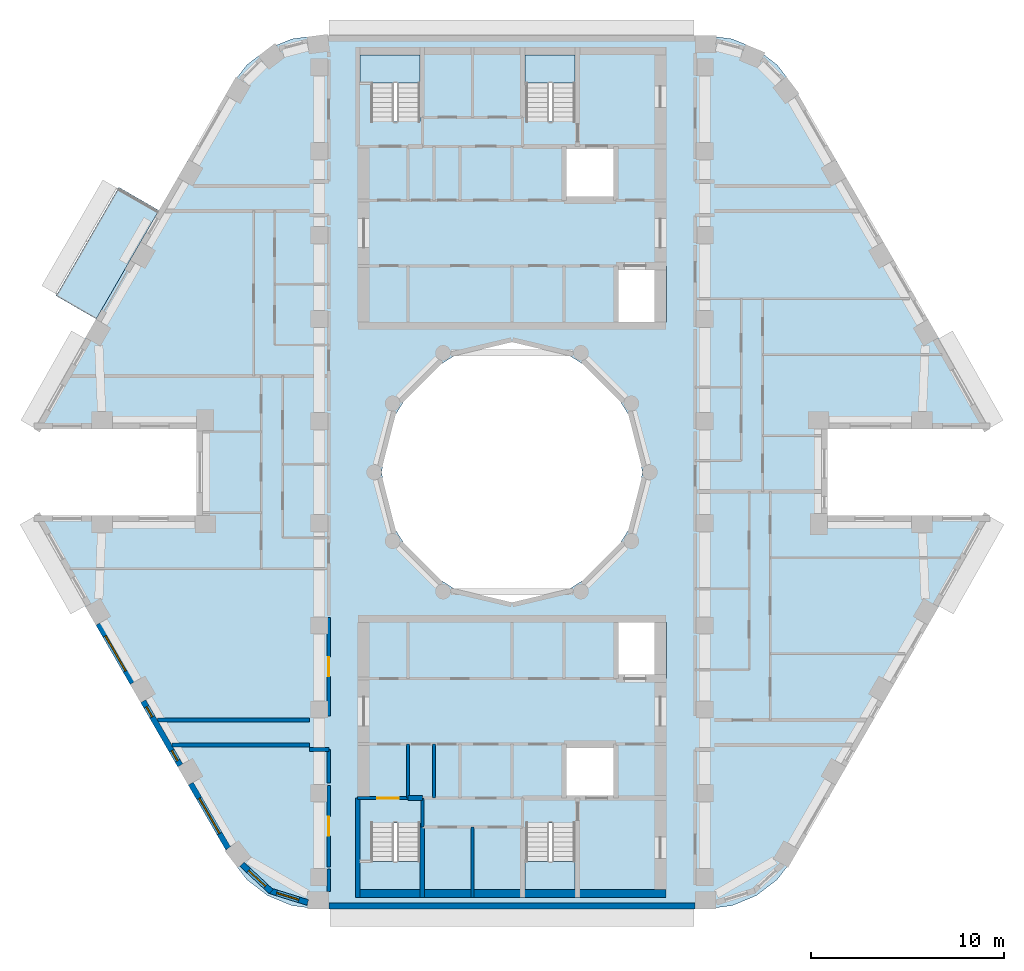
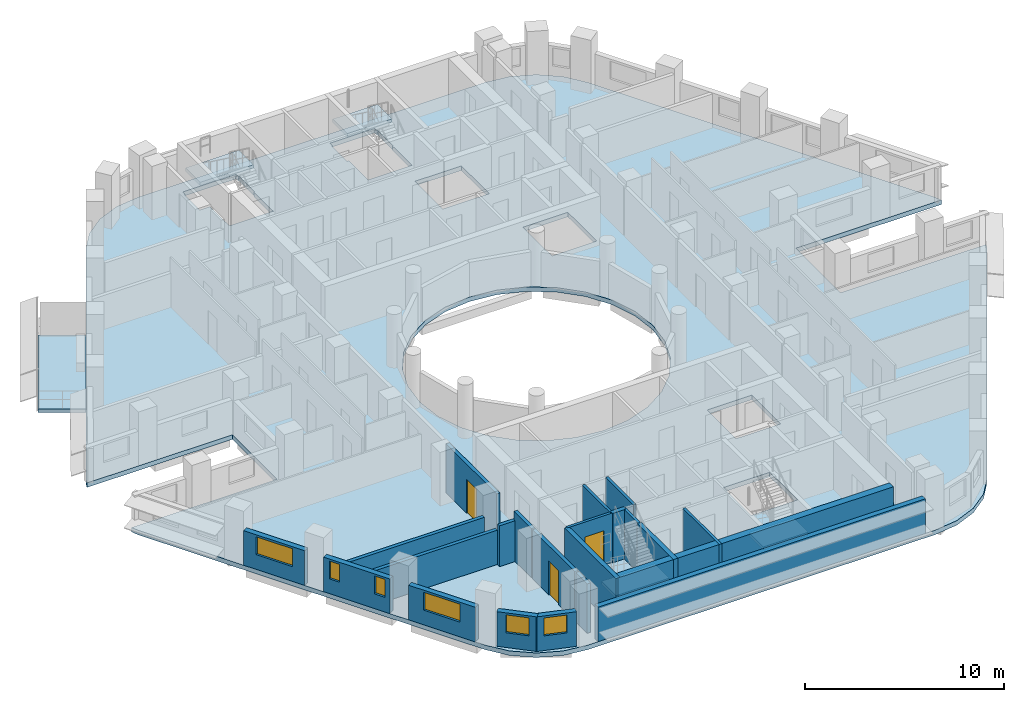
# One storey, part 2 of 13: 22 walls, 6 slabs, 6 windows, 3 doors, 9 openings, 4 elements without a shape of their own.
"""IFC4 building model written with IfcOpenShell, lengths in metres."""

from ifc_helpers import new_model, si_unit, direction, frame, frame_2d, origin, place, context, subcontext, project, spatial, polyline, rectangle, outline, extrude, material, layer, layer_set, type_object, element, fill, aggregate, save


model = new_model("IFC4")

# Units and contexts
model_context = context("Model", 3, precision=1e-05, world=origin(), true_north=direction((0.0, 1.0)))
body_context = subcontext(model_context, "Body", "Model", "MODEL_VIEW")
ifc_project = project(units=[si_unit("LENGTHUNIT", "METRE"), si_unit("AREAUNIT", "SQUARE_METRE"), si_unit("VOLUMEUNIT", "CUBIC_METRE"), si_unit("PLANEANGLEUNIT", "RADIAN"), si_unit("MASSUNIT", "GRAM", prefix="KILO")], contexts=[model_context])

# Site, building, storey
site_placement = place(None, origin())
site = spatial("IfcSite", under=ifc_project, at=site_placement, CompositionType="ELEMENT")
building_placement = place(site_placement, origin())
building = spatial("IfcBuilding", under=site, at=building_placement, Name="Nakaniwa Court", CompositionType="ELEMENT")
storey_placement = place(building_placement, frame((0.0, 0.0, 269.10009765625)))
storey = spatial("IfcBuildingStorey", under=building, at=storey_placement, Name="L71", CompositionType="ELEMENT", Elevation=269.10009765625)

# Slabs
ifc_material_1 = material(Name="Charcoal ceramic paver")
ifc_layer_1 = layer(ifc_material_1, 0.02, Name="Ceramic paver")
ifc_material_2 = material(Name="Cement sand screed")
ifc_layer_2 = layer(ifc_material_2, 0.03, Name="Falls screed")
ifc_material_3 = material(Name="Concrete C40/50", Category="concrete")
ifc_layer_3 = layer(ifc_material_3, 0.15, Name="Balcony slab")
ifc_layer_set_1 = layer_set([ifc_layer_1, ifc_layer_2, ifc_layer_3], Name="Concrete C40/50 balcony slab with ceramic paver finish")
slab_type_1 = type_object("IfcSlabType", Name="Balcony slab 200", PredefinedType="FLOOR", material=ifc_layer_set_1)
slab_1_placement = place(storey_placement, frame((0.0, 0.0, -0.25)))
element("IfcSlab", 1, at=slab_1_placement, inside=storey, type_object=slab_type_1, Name="L71 balcony 01", PredefinedType="FLOOR", context=body_context, shape_type="SweptSolid", body=[
    extrude(outline(polyline([(61.685791015625, 93.5791015625), (58.436279296875, 87.95068359375), (56.35791015625, 89.15087890625), (59.607421875, 94.779296875), (61.685791015625, 93.5791015625)])), origin(), (0.0, 0.0, 1.0), 0.199951171875),
])
ifc_material_4 = material(Name="Concrete C80/100", Category="concrete")
ifc_layer_4 = layer(ifc_material_4, 0.27490234375)
ifc_layer_set_2 = layer_set([ifc_layer_4], Name="Concrete C80/100")
slab_type_2 = type_object("IfcSlabType", Name="Concrete C80/100 post tensioned floor slab 275", PredefinedType="FLOOR", material=ifc_layer_set_2)
slab_2_placement = place(storey_placement, frame((0.0, 0.0, -0.275146484375)))
element("IfcSlab", 2, at=slab_2_placement, inside=storey, type_object=slab_type_2, Name="FLOOR SLAB", PredefinedType="FLOOR", context=body_context, shape_type="SweptSolid", body=[
    extrude(outline(polyline([(96.349609375, 82.25), (104.7978515625, 82.25), (104.65283203125, 82.60009765625), (94.578125, 100.050048828125), (93.751708984375, 101.126953125), (92.6748046875, 101.953369140625), (91.420654296875, 102.472900390625), (90.07470703125, 102.64990234375), (69.92529296875, 102.64990234375), (68.579345703125, 102.472900390625), (67.3251953125, 101.953369140625), (66.248291015625, 101.126953125), (65.421875, 100.050048828125), (55.34716796875, 82.60009765625), (55.2021484375, 82.25), (63.650390625, 82.25), (63.650390625, 77.75), (55.2021484375, 77.75), (55.34716796875, 77.39990234375), (65.421875, 59.949951171875), (66.248291015625, 58.873046875), (67.3251953125, 58.046630859375), (68.579345703125, 57.527099609375), (69.92529296875, 57.35009765625), (90.07470703125, 57.35009765625), (91.420654296875, 57.527099609375), (92.6748046875, 58.046630859375), (93.751708984375, 58.873046875), (94.578125, 59.949951171875), (104.65283203125, 77.39990234375), (104.7978515625, 77.75), (96.349609375, 77.75), (96.349609375, 82.25)]), holes=[polyline([(81.501953125, 86.580810546875), (80.0, 86.75), (78.498046875, 86.580810546875), (77.0712890625, 86.08154296875), (75.79150390625, 85.27734375), (74.72265625, 84.20849609375), (73.91845703125, 82.9287109375), (73.419189453125, 81.501953125), (73.25, 80.0), (73.419189453125, 78.498046875), (73.91845703125, 77.0712890625), (74.72265625, 75.79150390625), (75.79150390625, 74.72265625), (77.0712890625, 73.91845703125), (78.498046875, 73.419189453125), (80.0, 73.25), (81.501953125, 73.419189453125), (82.9287109375, 73.91845703125), (84.20849609375, 74.72265625), (85.27734375, 75.79150390625), (86.08154296875, 77.0712890625), (86.580810546875, 78.498046875), (86.75, 80.0), (86.580810546875, 81.501953125), (86.08154296875, 82.9287109375), (85.27734375, 84.20849609375), (84.20849609375, 85.27734375), (82.9287109375, 86.08154296875), (81.501953125, 86.580810546875)]), polyline([(72.675048828125, 61.81005859375), (72.675048828125, 59.864990234375), (72.0849609375, 59.864990234375), (72.0849609375, 58.31005859375), (72.125, 58.31005859375), (72.125, 58.074951171875), (75.22509765625, 58.074951171875), (75.22509765625, 58.31005859375), (75.264892578125, 58.31005859375), (75.264892578125, 59.864990234375), (75.22509765625, 59.864990234375), (75.22509765625, 61.81005859375), (72.675048828125, 61.81005859375)]), polyline([(83.27490234375, 61.81005859375), (80.72509765625, 61.81005859375), (80.72509765625, 59.864990234375), (80.635009765625, 59.864990234375), (80.635009765625, 58.31005859375), (80.675048828125, 58.31005859375), (80.675048828125, 58.074951171875), (83.27490234375, 58.074951171875), (83.27490234375, 58.31005859375), (83.31494140625, 58.31005859375), (83.31494140625, 59.864990234375), (83.27490234375, 59.864990234375), (83.27490234375, 61.81005859375)]), polyline([(75.264892578125, 101.68994140625), (75.22509765625, 101.68994140625), (75.22509765625, 101.925048828125), (72.125, 101.925048828125), (72.125, 101.68994140625), (72.0849609375, 101.68994140625), (72.0849609375, 100.135009765625), (72.675048828125, 100.135009765625), (72.675048828125, 98.18994140625), (75.22509765625, 98.18994140625), (75.22509765625, 100.135009765625), (75.264892578125, 100.135009765625), (75.264892578125, 101.68994140625)]), polyline([(83.31494140625, 100.135009765625), (83.31494140625, 101.68994140625), (83.27490234375, 101.68994140625), (83.27490234375, 101.925048828125), (80.675048828125, 101.925048828125), (80.675048828125, 101.68994140625), (80.635009765625, 101.68994140625), (80.635009765625, 100.135009765625), (80.72509765625, 100.135009765625), (80.72509765625, 98.18994140625), (83.27490234375, 98.18994140625), (83.27490234375, 100.135009765625), (83.31494140625, 100.135009765625)]), polyline([(85.39990234375, 65.89990234375), (82.699951171875, 65.89990234375), (82.699951171875, 63.10009765625), (85.39990234375, 63.10009765625), (85.39990234375, 65.89990234375)]), polyline([(88.0, 72.199951171875), (85.39990234375, 72.199951171875), (85.39990234375, 69.300048828125), (88.0, 69.300048828125), (88.0, 72.199951171875)]), polyline([(85.39990234375, 90.699951171875), (85.39990234375, 87.800048828125), (88.0, 87.800048828125), (88.0, 90.699951171875), (85.39990234375, 90.699951171875)]), polyline([(85.39990234375, 96.89990234375), (82.699951171875, 96.89990234375), (82.699951171875, 94.10009765625), (85.39990234375, 94.10009765625), (85.39990234375, 96.89990234375)])]), origin(), (0.0, 0.0, 1.0), 0.275146484375),
])

# Stair, slab
stair_type = type_object("IfcStairType", Name="Dog leg stair 1200 wide 18 risers", PredefinedType="HALF_TURN_STAIR", material=ifc_material_4)
stair_1_placement = place(storey_placement, origin())
stair_1 = element("IfcStair", 3, at=stair_1_placement, inside=storey, type_object=stair_type, Name="L71 Stair ST1", PredefinedType="HALF_TURN_STAIR")
ifc_layer_5 = layer(ifc_material_4, 0.199951171875)
ifc_layer_set_3 = layer_set([ifc_layer_5], Name="Concrete C80/100")
slab_type_3 = type_object("IfcSlabType", Name="Stair landing concrete", PredefinedType="LANDING", material=ifc_layer_set_3)
slab_3_placement = place(storey_placement, frame((0.0, 0.0, 1.449951171875)))
slab_3 = element("IfcSlab", 4, at=slab_3_placement, type_object=slab_type_3, Name="ST1 landing 1", PredefinedType="LANDING", context=body_context, shape_type="SweptSolid", body=[
    extrude(outline(polyline([(75.22509765625, 100.175048828125), (75.22509765625, 101.64990234375), (72.125, 101.64990234375), (72.125, 100.175048828125), (75.22509765625, 100.175048828125)])), origin(), (0.0, 0.0, 1.0), 0.199951171875),
])
aggregate(stair_1, [slab_3])

stair_2_placement = place(storey_placement, origin())
stair_2 = element("IfcStair", 5, at=stair_2_placement, inside=storey, type_object=stair_type, Name="L71 Stair ST2", PredefinedType="HALF_TURN_STAIR")
slab_4_placement = place(storey_placement, frame((0.0, 0.0, 1.449951171875)))
slab_4 = element("IfcSlab", 6, at=slab_4_placement, type_object=slab_type_3, Name="ST2 landing 1", PredefinedType="LANDING", context=body_context, shape_type="SweptSolid", body=[
    extrude(outline(polyline([(83.27490234375, 100.175048828125), (83.27490234375, 101.64990234375), (80.675048828125, 101.64990234375), (80.675048828125, 100.175048828125), (83.27490234375, 100.175048828125)])), origin(), (0.0, 0.0, 1.0), 0.199951171875),
])
aggregate(stair_2, [slab_4])

stair_3_placement = place(storey_placement, origin())
stair_3 = element("IfcStair", 7, at=stair_3_placement, inside=storey, type_object=stair_type, Name="L71 Stair ST3", PredefinedType="HALF_TURN_STAIR")
slab_5_placement = place(storey_placement, frame((0.0, 0.0, 1.449951171875)))
slab_5 = element("IfcSlab", 8, at=slab_5_placement, type_object=slab_type_3, Name="ST3 landing 1", PredefinedType="LANDING", context=body_context, shape_type="SweptSolid", body=[
    extrude(outline(polyline([(75.22509765625, 58.35009765625), (75.22509765625, 59.824951171875), (72.125, 59.824951171875), (72.125, 58.35009765625), (75.22509765625, 58.35009765625)])), origin(), (0.0, 0.0, 1.0), 0.199951171875),
])
aggregate(stair_3, [slab_5])

stair_4_placement = place(storey_placement, origin())
stair_4 = element("IfcStair", 9, at=stair_4_placement, inside=storey, type_object=stair_type, Name="L71 Stair ST4", PredefinedType="HALF_TURN_STAIR")
slab_6_placement = place(storey_placement, frame((0.0, 0.0, 1.449951171875)))
slab_6 = element("IfcSlab", 10, at=slab_6_placement, type_object=slab_type_3, Name="ST4 landing 1", PredefinedType="LANDING", context=body_context, shape_type="SweptSolid", body=[
    extrude(outline(polyline([(83.27490234375, 58.35009765625), (83.27490234375, 59.824951171875), (80.675048828125, 59.824951171875), (80.675048828125, 58.35009765625), (83.27490234375, 58.35009765625)])), origin(), (0.0, 0.0, 1.0), 0.199951171875),
])
aggregate(stair_4, [slab_6])

# Walls
ifc_material_5 = material(Name="Acoustic double stud partition")
ifc_layer_6 = layer(ifc_material_5, 0.199951171875)
ifc_layer_set_4 = layer_set([ifc_layer_6], Name="Acoustic double stud partition")
wall_type_1 = type_object("IfcWallType", Name="Acoustic double stud partition 200", PredefinedType="PARTITIONING", material=ifc_layer_set_4)
wall_1_placement = place(storey_placement, frame((62.36181640625, 65.85009765625, 0.0), z_axis=(0.0, 0.0, 1.0), x_axis=(1.0, 0.0, 0.0)))
element("IfcWall", 11, at=wall_1_placement, inside=storey, type_object=wall_type_1, Name="Partition PW-078", PredefinedType="PARTITIONING", context=body_context, shape_type="SweptSolid", body=[
    extrude(rectangle(XDim=7.13818359375, YDim=0.199951171875, at=frame_2d((3.569091796875, 0.0))), origin(), (0.0, 0.0, 1.0), 2.10498046875),
])
wall_2_placement = place(storey_placement, frame((69.5, 65.625, 0.0), z_axis=(0.0, 0.0, 1.0), x_axis=(1.0, 0.0, 0.0)))
element("IfcWall", 12, at=wall_2_placement, inside=storey, type_object=wall_type_1, Name="Partition PW-080", PredefinedType="PARTITIONING", context=body_context, shape_type="SweptSolid", body=[
    extrude(rectangle(XDim=1.0, YDim=0.199951171875, at=frame_2d((0.5, 0.0))), origin(), (0.0, 0.0, 1.0), 2.5048828125),
])
wall_3_placement = place(storey_placement, frame((61.611328125, 67.14990234375, 0.0), z_axis=(0.0, 0.0, 1.0), x_axis=(1.0, 0.0, 0.0)))
element("IfcWall", 13, at=wall_3_placement, inside=storey, type_object=wall_type_1, Name="Partition PW-082", PredefinedType="PARTITIONING", context=body_context, shape_type="SweptSolid", body=[
    extrude(rectangle(XDim=7.888671875, YDim=0.199951171875, at=frame_2d((3.9443359375, 0.0))), origin(), (0.0, 0.0, 1.0), 2.10498046875),
])
wall_4_placement = place(storey_placement, frame((70.5, 58.26708984375, 0.0), z_axis=(0.0, 0.0, 1.0), x_axis=(0.0, 1.0, 0.0)))
element("IfcWall", 14, at=wall_4_placement, inside=storey, type_object=wall_type_1, Name="Partition PW-084", PredefinedType="PARTITIONING", context=body_context, shape_type="SweptSolid", body=[
    extrude(rectangle(XDim=1.14599609375, YDim=0.199951171875, at=frame_2d((0.572998046875, 0.0))), origin(), (0.0, 0.0, 1.0), 3.02490234375),
])

# Wall, opening, door
wall_5_placement = place(storey_placement, frame((70.5, 59.527099609375, 0.0), z_axis=(0.0, 0.0, 1.0), x_axis=(0.0, 1.0, 0.0)))
wall_5 = element("IfcWall", 15, at=wall_5_placement, inside=storey, type_object=wall_type_1, Name="Partition PW-085", PredefinedType="PARTITIONING", context=body_context, shape_type="SweptSolid", body=[
    extrude(rectangle(XDim=4.23583984375, YDim=0.199951171875, at=frame_2d((2.117919921875, 0.0))), origin(), (0.0, 0.0, 1.0), 3.02490234375),
])
opening_1_placement = place(wall_5_placement, frame((1.617919921875, 0.0, 0.0)))
opening_1 = element("IfcOpeningElement", 16, at=opening_1_placement, cuts=wall_5, Name="Opening D-02-05", PredefinedType="OPENING", context=body_context, shape_type="SweptSolid", body=[
    extrude(rectangle(XDim=1.0, YDim=2.10009765625, at=frame_2d((0.5, 1.050048828125))), frame((0.0, 0.10986328125, 0.0), z_axis=(0.0, -1.0, 0.0), x_axis=(1.0, 0.0, 0.0)), (0.0, 0.0, 1.0), 0.219970703125),
])
ifc_material_6 = material(Name="Solid core timber door set, black veneer", Category="wood")
door_type_1 = type_object("IfcDoorType", Name="Internal door 1000", OperationType="NOTDEFINED", PredefinedType="DOOR", material=ifc_material_6)
door_1_placement = place(opening_1_placement, origin())
door_1 = element("IfcDoor", 17, at=door_1_placement, inside=storey, type_object=door_type_1, Name="Door D-02-05 L71-057", OperationType="SINGLE_SWING_RIGHT", OverallHeight=2.10009765625, OverallWidth=1.0, PredefinedType="DOOR", context=body_context, shape_type="SweptSolid", body=[
    extrude(rectangle(XDim=1.0, YDim=2.10009765625, at=frame_2d((0.5, 1.050048828125))), frame((0.0, 0.02490234375, 0.0), z_axis=(0.0, -1.0, 0.0), x_axis=(1.0, 0.0, 0.0)), (0.0, 0.0, 1.0), 0.050048828125),
])
fill(opening_1, door_1)

# Wall
wall_6_placement = place(storey_placement, frame((70.5, 63.876953125, 0.0), z_axis=(0.0, 0.0, 1.0), x_axis=(0.0, 1.0, 0.0)))
element("IfcWall", 18, at=wall_6_placement, inside=storey, type_object=wall_type_1, Name="Partition PW-086", PredefinedType="PARTITIONING", context=body_context, shape_type="SweptSolid", body=[
    extrude(rectangle(XDim=1.7509765625, YDim=0.199951171875, at=frame_2d((0.87548828125, 0.0))), origin(), (0.0, 0.0, 1.0), 3.02490234375),
])

# Wall, opening, door
wall_7_placement = place(storey_placement, frame((70.5, 67.3720703125, 0.0), z_axis=(0.0, 0.0, 1.0), x_axis=(0.0, 1.0, 0.0)))
wall_7 = element("IfcWall", 19, at=wall_7_placement, inside=storey, type_object=wall_type_1, Name="Partition PW-087", PredefinedType="PARTITIONING", context=body_context, shape_type="SweptSolid", body=[
    extrude(rectangle(XDim=5.0908203125, YDim=0.199951171875, at=frame_2d((2.54541015625, 0.0))), origin(), (0.0, 0.0, 1.0), 3.02490234375),
])
opening_2_placement = place(wall_7_placement, frame((2.044921875, 0.0, 0.0)))
opening_2 = element("IfcOpeningElement", 20, at=opening_2_placement, cuts=wall_7, Name="Opening D-02-03", PredefinedType="OPENING", context=body_context, shape_type="SweptSolid", body=[
    extrude(rectangle(XDim=1.0, YDim=2.10009765625, at=frame_2d((0.5, 1.050048828125))), frame((0.0, 0.10986328125, 0.0), z_axis=(0.0, -1.0, 0.0), x_axis=(1.0, 0.0, 0.0)), (0.0, 0.0, 1.0), 0.219970703125),
])
door_2_placement = place(opening_2_placement, origin())
door_2 = element("IfcDoor", 21, at=door_2_placement, inside=storey, type_object=door_type_1, Name="Door D-02-03 L71-045", OperationType="SINGLE_SWING_RIGHT", OverallHeight=2.10009765625, OverallWidth=1.0, PredefinedType="DOOR", context=body_context, shape_type="SweptSolid", body=[
    extrude(rectangle(XDim=1.0, YDim=2.10009765625, at=frame_2d((0.5, 1.050048828125))), frame((0.0, 0.02490234375, 0.0), z_axis=(0.0, -1.0, 0.0), x_axis=(1.0, 0.0, 0.0)), (0.0, 0.0, 1.0), 0.050048828125),
])
fill(opening_2, door_2)

# Wall, opening, window
ifc_material_7 = material(Name="Charcoal ceramic cladding")
ifc_layer_7 = layer(ifc_material_7, 0.02, Name="Ceramic cladding")
ifc_material_8 = material(Name="Ventilated air cavity")
ifc_layer_8 = layer(ifc_material_8, 0.04, ventilated=True, Name="Ventilated cavity")
ifc_material_9 = material(Name="Mineral wool insulation")
ifc_layer_9 = layer(ifc_material_9, 0.1, Name="Insulation")
ifc_material_10 = material(Name="Cement bonded sheathing board")
ifc_layer_10 = layer(ifc_material_10, 0.012, Name="Sheathing")
ifc_material_11 = material(Name="Cold-formed galvanised stud frame with mineral wool infill")
ifc_layer_11 = layer(ifc_material_11, 0.1, Name="Stud frame")
ifc_material_12 = material(Name="Fire-rated gypsum plasterboard lining")
ifc_layer_12 = layer(ifc_material_12, 0.028, Name="Lining")
ifc_layer_set_5 = layer_set([ifc_layer_7, ifc_layer_8, ifc_layer_9, ifc_layer_10, ifc_layer_11, ifc_layer_12], Name="Charcoal ceramic faced external wall system")
wall_type_2 = type_object("IfcWallType", Name="Black ceramic faced external wall 300", PredefinedType="SOLIDWALL", material=ifc_layer_set_5)
wall_8_placement = place(storey_placement, frame((58.55419921875, 72.14501953125, 0.0), z_axis=(0.0, 0.0, 1.0), x_axis=(0.500010404316, -0.866019396766, 0.0)))
wall_8 = element("IfcWall", 22, at=wall_8_placement, inside=storey, type_object=wall_type_2, Name="L71 external wall 21", PredefinedType="SOLIDWALL", context=body_context, shape_type="SweptSolid", body=[
    extrude(rectangle(XDim=3.54736328125, YDim=0.300048828125, at=frame_2d((1.773681640625, 0.0))), origin(), (0.0, 0.0, 1.0), 2.125),
])
opening_3_placement = place(wall_8_placement, frame((0.723388671875, 0.0, 0.89990234375)))
opening_3 = element("IfcOpeningElement", 23, at=opening_3_placement, cuts=wall_8, Name="Opening W7.23", PredefinedType="OPENING", context=body_context, shape_type="SweptSolid", body=[
    extrude(rectangle(XDim=2.10009765625, YDim=1.10009765625, at=frame_2d((1.050048828125, 0.550048828125))), frame((0.0, 0.159912109375, 0.0), z_axis=(0.0, -1.0, 0.0), x_axis=(1.0, 0.0, 0.0)), (0.0, 0.0, 1.0), 0.320068359375),
])
ifc_material_13 = material(Name="Black anodised aluminium frame with dark low-E laminated double glazing", Category="aluminium")
window_type_1 = type_object("IfcWindowType", Name="Dark glass window 2100x1100 sill 900", PartitioningType="SINGLE_PANEL", PredefinedType="WINDOW", material=ifc_material_13)
window_1_placement = place(opening_3_placement, origin())
window_1 = element("IfcWindow", 24, at=window_1_placement, inside=storey, type_object=window_type_1, Name="L71 habitable room window 21-0", OverallHeight=1.10009765625, OverallWidth=2.10009765625, PartitioningType="SINGLE_PANEL", PredefinedType="WINDOW", context=body_context, shape_type="SweptSolid", body=[
    extrude(rectangle(XDim=2.10009765625, YDim=1.10009765625, at=frame_2d((1.050048828125, 0.550048828125))), frame((0.0, 0.030029296875, 0.0), z_axis=(0.0, -1.0, 0.0), x_axis=(1.0, 0.0, 0.0)), (0.0, 0.0, 1.0), 0.06005859375),
])
fill(opening_3, window_1)

# Wall, openings, windows
wall_9_placement = place(storey_placement, frame((60.873779296875, 68.12744140625, 0.0), z_axis=(0.0, 0.0, 1.0), x_axis=(0.499984490703, -0.866034357896, 0.0)))
wall_9 = element("IfcWall", 25, at=wall_9_placement, inside=storey, type_object=wall_type_2, Name="L71 external wall 22", PredefinedType="SOLIDWALL", context=body_context, shape_type="SweptSolid", body=[
    extrude(rectangle(XDim=3.84423828125, YDim=0.300048828125, at=frame_2d((1.922119140625, 0.0))), origin(), (0.0, 0.0, 1.0), 2.125),
])
opening_4_placement = place(wall_9_placement, frame((0.33837890625, 0.0, 0.89990234375)))
opening_4 = element("IfcOpeningElement", 26, at=opening_4_placement, cuts=wall_9, Name="Opening W8.24", PredefinedType="OPENING", context=body_context, shape_type="SweptSolid", body=[
    extrude(rectangle(XDim=0.60009765625, YDim=1.10009765625, at=frame_2d((0.300048828125, 0.550048828125))), frame((0.0, 0.159912109375, 0.0), z_axis=(0.0, -1.0, 0.0), x_axis=(1.0, 0.0, 0.0)), (0.0, 0.0, 1.0), 0.320068359375),
])
opening_5_placement = place(wall_9_placement, frame((2.961181640625, 0.0, 0.89990234375)))
opening_5 = element("IfcOpeningElement", 27, at=opening_5_placement, cuts=wall_9, Name="Opening W8.25", PredefinedType="OPENING", context=body_context, shape_type="SweptSolid", body=[
    extrude(rectangle(XDim=0.60009765625, YDim=1.10009765625, at=frame_2d((0.300048828125, 0.550048828125))), frame((0.0, 0.159912109375, 0.0), z_axis=(0.0, -1.0, 0.0), x_axis=(1.0, 0.0, 0.0)), (0.0, 0.0, 1.0), 0.320068359375),
])
window_type_2 = type_object("IfcWindowType", Name="Dark glass window 600x1100 sill 900", PartitioningType="SINGLE_PANEL", PredefinedType="WINDOW", material=ifc_material_13)
window_2_placement = place(opening_4_placement, origin())
window_2 = element("IfcWindow", 28, at=window_2_placement, inside=storey, type_object=window_type_2, Name="L71 habitable room window 22-0", OverallHeight=1.10009765625, OverallWidth=0.60009765625, PartitioningType="SINGLE_PANEL", PredefinedType="WINDOW", context=body_context, shape_type="SweptSolid", body=[
    extrude(rectangle(XDim=0.60009765625, YDim=1.10009765625, at=frame_2d((0.300048828125, 0.550048828125))), frame((0.0, 0.030029296875, 0.0), z_axis=(0.0, -1.0, 0.0), x_axis=(1.0, 0.0, 0.0)), (0.0, 0.0, 1.0), 0.06005859375),
])
fill(opening_4, window_2)
window_3_placement = place(opening_5_placement, origin())
window_3 = element("IfcWindow", 29, at=window_3_placement, inside=storey, type_object=window_type_2, Name="L71 habitable room window 22-2", OverallHeight=1.10009765625, OverallWidth=0.60009765625, PartitioningType="SINGLE_PANEL", PredefinedType="WINDOW", context=body_context, shape_type="SweptSolid", body=[
    extrude(rectangle(XDim=0.60009765625, YDim=1.10009765625, at=frame_2d((0.300048828125, 0.550048828125))), frame((0.0, 0.030029296875, 0.0), z_axis=(0.0, -1.0, 0.0), x_axis=(1.0, 0.0, 0.0)), (0.0, 0.0, 1.0), 0.06005859375),
])
fill(opening_5, window_3)

# Wall, opening, window
wall_10_placement = place(storey_placement, frame((63.342041015625, 63.8525390625, 0.0), z_axis=(0.0, 0.0, 1.0), x_axis=(0.500011218404, -0.866018926739, 0.0)))
wall_10 = element("IfcWall", 30, at=wall_10_placement, inside=storey, type_object=wall_type_2, Name="L71 external wall 23", PredefinedType="SOLIDWALL", context=body_context, shape_type="SweptSolid", body=[
    extrude(rectangle(XDim=3.87890625, YDim=0.300048828125, at=frame_2d((1.939453125, 0.0))), origin(), (0.0, 0.0, 1.0), 2.125),
])
opening_6_placement = place(wall_10_placement, frame((0.878173828125, 0.0, 0.89990234375)))
opening_6 = element("IfcOpeningElement", 31, at=opening_6_placement, cuts=wall_10, Name="Opening W7.26", PredefinedType="OPENING", context=body_context, shape_type="SweptSolid", body=[
    extrude(rectangle(XDim=2.10009765625, YDim=1.10009765625, at=frame_2d((1.050048828125, 0.550048828125))), frame((0.0, 0.159912109375, 0.0), z_axis=(0.0, -1.0, 0.0), x_axis=(1.0, 0.0, 0.0)), (0.0, 0.0, 1.0), 0.320068359375),
])
window_4_placement = place(opening_6_placement, origin())
window_4 = element("IfcWindow", 32, at=window_4_placement, inside=storey, type_object=window_type_1, Name="L71 habitable room window 23-0", OverallHeight=1.10009765625, OverallWidth=2.10009765625, PartitioningType="SINGLE_PANEL", PredefinedType="WINDOW", context=body_context, shape_type="SweptSolid", body=[
    extrude(rectangle(XDim=2.10009765625, YDim=1.10009765625, at=frame_2d((1.050048828125, 0.550048828125))), frame((0.0, 0.030029296875, 0.0), z_axis=(0.0, -1.0, 0.0), x_axis=(1.0, 0.0, 0.0)), (0.0, 0.0, 1.0), 0.06005859375),
])
fill(opening_6, window_4)

wall_11_placement = place(storey_placement, frame((65.99609375, 59.665283203125, 0.0), z_axis=(0.0, 0.0, 1.0), x_axis=(0.731942518471, -0.6813663843, 0.0)))
wall_11 = element("IfcWall", 33, at=wall_11_placement, inside=storey, type_object=wall_type_2, Name="L71 external wall 24", PredefinedType="SOLIDWALL", context=body_context, shape_type="SweptSolid", body=[
    extrude(rectangle(XDim=2.07568359375, YDim=0.300048828125, at=frame_2d((1.037841796875, 0.0))), origin(), (0.0, 0.0, 1.0), 2.125),
])
opening_7_placement = place(wall_11_placement, frame((0.464111328125, 0.0, 0.89990234375)))
opening_7 = element("IfcOpeningElement", 34, at=opening_7_placement, cuts=wall_11, Name="Opening W6.27", PredefinedType="OPENING", context=body_context, shape_type="SweptSolid", body=[
    extrude(rectangle(XDim=1.199951171875, YDim=1.10009765625, at=frame_2d((0.60009765625, 0.550048828125))), frame((0.0, 0.159912109375, 0.0), z_axis=(0.0, -1.0, 0.0), x_axis=(1.0, 0.0, 0.0)), (0.0, 0.0, 1.0), 0.320068359375),
])
window_type_3 = type_object("IfcWindowType", Name="Dark glass window 1200x1100 sill 900", PartitioningType="SINGLE_PANEL", PredefinedType="WINDOW", material=ifc_material_13)
window_5_placement = place(opening_7_placement, origin())
window_5 = element("IfcWindow", 35, at=window_5_placement, inside=storey, type_object=window_type_3, Name="L71 habitable room window 24-0", OverallHeight=1.10009765625, OverallWidth=1.199951171875, PartitioningType="SINGLE_PANEL", PredefinedType="WINDOW", context=body_context, shape_type="SweptSolid", body=[
    extrude(rectangle(XDim=1.199951171875, YDim=1.10009765625, at=frame_2d((0.60009765625, 0.550048828125))), frame((0.0, 0.030029296875, 0.0), z_axis=(0.0, -1.0, 0.0), x_axis=(1.0, 0.0, 0.0)), (0.0, 0.0, 1.0), 0.06005859375),
])
fill(opening_7, window_5)

wall_12_placement = place(storey_placement, frame((67.406494140625, 58.3076171875, 0.0), z_axis=(0.0, 0.0, 1.0), x_axis=(0.954761314907, -0.297373219301, 0.0)))
wall_12 = element("IfcWall", 36, at=wall_12_placement, inside=storey, type_object=wall_type_2, Name="L71 external wall 25", PredefinedType="SOLIDWALL", context=body_context, shape_type="SweptSolid", body=[
    extrude(rectangle(XDim=2.096923828125, YDim=0.300048828125, at=frame_2d((1.04833984375, 0.0))), origin(), (0.0, 0.0, 1.0), 2.125),
])
opening_8_placement = place(wall_12_placement, frame((0.409423828125, 0.0, 0.89990234375)))
opening_8 = element("IfcOpeningElement", 37, at=opening_8_placement, cuts=wall_12, Name="Opening W6.28", PredefinedType="OPENING", context=body_context, shape_type="SweptSolid", body=[
    extrude(rectangle(XDim=1.199951171875, YDim=1.10009765625, at=frame_2d((0.60009765625, 0.550048828125))), frame((0.0, 0.159912109375, 0.0), z_axis=(0.0, -1.0, 0.0), x_axis=(1.0, 0.0, 0.0)), (0.0, 0.0, 1.0), 0.320068359375),
])
window_6_placement = place(opening_8_placement, origin())
window_6 = element("IfcWindow", 38, at=window_6_placement, inside=storey, type_object=window_type_3, Name="L71 habitable room window 25-0", OverallHeight=1.10009765625, OverallWidth=1.199951171875, PartitioningType="SINGLE_PANEL", PredefinedType="WINDOW", context=body_context, shape_type="SweptSolid", body=[
    extrude(rectangle(XDim=1.199951171875, YDim=1.10009765625, at=frame_2d((0.60009765625, 0.550048828125))), frame((0.0, 0.030029296875, 0.0), z_axis=(0.0, -1.0, 0.0), x_axis=(1.0, 0.0, 0.0)), (0.0, 0.0, 1.0), 0.06005859375),
])
fill(opening_8, window_6)

# Walls
wall_13_placement = place(storey_placement, frame((70.500732421875, 57.5, 0.0), z_axis=(0.0, 0.0, 1.0), x_axis=(1.0, 0.0, 0.0)))
element("IfcWall", 39, at=wall_13_placement, inside=storey, type_object=wall_type_2, Name="L71 external wall 26", PredefinedType="SOLIDWALL", context=body_context, shape_type="SweptSolid", body=[
    extrude(rectangle(XDim=18.99267578125, YDim=0.300048828125, at=frame_2d((9.496337890625, 0.0))), origin(), (0.0, 0.0, 1.0), 2.125),
])
ifc_material_14 = material(Name="Blockwork partition", Category="masonry")
ifc_layer_13 = layer(ifc_material_14, 0.14990234375)
ifc_layer_set_6 = layer_set([ifc_layer_13], Name="Blockwork partition")
wall_type_3 = type_object("IfcWallType", Name="Blockwork partition 150", PredefinedType="PARTITIONING", material=ifc_layer_set_6)
for number, where, z_axis, x_axis, name in (
    (40, (74.60009765625, 63.10009765625, 0.0), (0.0, 0.0, 1.0), (0.0, 1.0, 0.0), "Partition PW-030"),
    (41, (75.949951171875, 63.10009765625, 0.0), (0.0, 0.0, 1.0), (0.0, 1.0, 0.0), "Partition PW-045"),
):
    element("IfcWall", number, at=place(storey_placement, frame(where, z_axis=z_axis, x_axis=x_axis)), inside=storey, type_object=wall_type_3, Name=name, PredefinedType="PARTITIONING", context=body_context, shape_type="SweptSolid", body=[
        extrude(rectangle(XDim=2.7998046875, YDim=0.14990234375, at=frame_2d((1.39990234375, 0.0))), origin(), (0.0, 0.0, 1.0), 3.02490234375),
    ])
wall_14_placement = place(storey_placement, frame((77.949951171875, 57.949951171875, 0.0), z_axis=(0.0, 0.0, 1.0), x_axis=(0.0, 1.0, 0.0)))
element("IfcWall", 42, at=wall_14_placement, inside=storey, type_object=wall_type_3, Name="Partition PW-058", PredefinedType="PARTITIONING", context=body_context, shape_type="SweptSolid", body=[
    extrude(rectangle(XDim=3.650146484375, YDim=0.14990234375, at=frame_2d((1.8251953125, 0.0))), origin(), (0.0, 0.0, 1.0), 3.02490234375),
])

# Wall, opening, door
ifc_layer_14 = layer(ifc_material_4, 0.14990234375)
ifc_layer_set_7 = layer_set([ifc_layer_14], Name="Concrete C80/100")
wall_type_4 = type_object("IfcWallType", Name="Concrete core wall 150 C80", PredefinedType="SHEAR", material=ifc_layer_set_7)
wall_15_placement = place(storey_placement, frame((72.0, 63.10009765625, -0.275146484375), z_axis=(0.0, 0.0, 1.0), x_axis=(1.0, 0.0, 0.0)))
wall_15 = element("IfcWall", 43, at=wall_15_placement, inside=storey, type_object=wall_type_4, Name="Core wall SW-44", PredefinedType="SHEAR", context=body_context, shape_type="SweptSolid", body=[
    extrude(rectangle(XDim=2.60009765625, YDim=0.14990234375, at=frame_2d((1.300048828125, 0.0))), origin(), (0.0, 0.0, 1.0), 3.300048828125),
])
opening_9_placement = place(wall_15_placement, frame((1.02001953125, 0.0, 0.27490234375)))
opening_9 = element("IfcOpeningElement", 44, at=opening_9_placement, cuts=wall_15, Name="Opening D-09-02", PredefinedType="OPENING", context=body_context, shape_type="SweptSolid", body=[
    extrude(rectangle(XDim=1.10009765625, YDim=2.10009765625, at=frame_2d((0.550048828125, 1.050048828125))), frame((0.0, 0.0849609375, 0.0), z_axis=(0.0, -1.0, 0.0), x_axis=(1.0, 0.0, 0.0)), (0.0, 0.0, 1.0), 0.169921875),
])
ifc_material_15 = material(Name="Fire rated steel door set", Category="steel")
door_type_2 = type_object("IfcDoorType", Name="Stair door 1100", OperationType="NOTDEFINED", PredefinedType="DOOR", material=ifc_material_15)
door_3_placement = place(opening_9_placement, origin())
door_3 = element("IfcDoor", 45, at=door_3_placement, inside=storey, type_object=door_type_2, Name="Door D-09-02 L71-029", OperationType="SINGLE_SWING_LEFT", OverallHeight=2.10009765625, OverallWidth=1.10009765625, PredefinedType="DOOR", context=body_context, shape_type="SweptSolid", body=[
    extrude(rectangle(XDim=1.10009765625, YDim=2.10009765625, at=frame_2d((0.550048828125, 1.050048828125))), frame((0.0, 0.02490234375, 0.0), z_axis=(0.0, -1.0, 0.0), x_axis=(1.0, 0.0, 0.0)), (0.0, 0.0, 1.0), 0.050048828125),
])
fill(opening_9, door_3)

# Walls
wall_16_placement = place(storey_placement, frame((75.35009765625, 61.596923828125, -0.275146484375), z_axis=(0.0, 0.0, 1.0), x_axis=(0.0, 1.0, 0.0)))
element("IfcWall", 46, at=wall_16_placement, inside=storey, type_object=wall_type_4, Name="Core wall SW-51", PredefinedType="SHEAR", context=body_context, shape_type="SweptSolid", body=[
    extrude(rectangle(XDim=1.503173828125, YDim=0.14990234375, at=frame_2d((0.75146484375, 0.0))), origin(), (0.0, 0.0, 1.0), 3.300048828125),
])
ifc_layer_15 = layer(ifc_material_4, 0.25)
ifc_layer_set_8 = layer_set([ifc_layer_15], Name="Concrete C80/100")
wall_type_5 = type_object("IfcWallType", Name="Concrete core wall 250 C80", PredefinedType="SHEAR", material=ifc_layer_set_8)
wall_17_placement = place(storey_placement, frame((72.0, 57.949951171875, -0.275146484375), z_axis=(0.0, 0.0, 1.0), x_axis=(0.0, 1.0, 0.0)))
element("IfcWall", 47, at=wall_17_placement, inside=storey, type_object=wall_type_5, Name="Core wall SW-53", PredefinedType="SHEAR", context=body_context, shape_type="SweptSolid", body=[
    extrude(rectangle(XDim=5.150146484375, YDim=0.25, at=frame_2d((2.5751953125, 0.0))), origin(), (0.0, 0.0, 1.0), 3.300048828125),
])
ifc_layer_16 = layer(ifc_material_4, 0.39990234375)
ifc_layer_set_9 = layer_set([ifc_layer_16], Name="Concrete C80/100")
wall_type_6 = type_object("IfcWallType", Name="Concrete core wall 400 C80", PredefinedType="SHEAR", material=ifc_layer_set_9)
wall_18_placement = place(storey_placement, frame((72.00390625, 58.14990234375, -0.275146484375), z_axis=(0.0, 0.0, 1.0), x_axis=(1.0, 0.0, 0.0)))
element("IfcWall", 48, at=wall_18_placement, inside=storey, type_object=wall_type_6, Name="Core wall SW-125", PredefinedType="SHEAR", context=body_context, shape_type="SweptSolid", body=[
    extrude(rectangle(XDim=15.9921875, YDim=0.39990234375, at=frame_2d((7.99609375, 0.0))), origin(), (0.0, 0.0, 1.0), 3.300048828125),
])
ifc_layer_17 = layer(ifc_material_4, 0.25)
ifc_layer_set_10 = layer_set([ifc_layer_17], Name="Concrete C80/100")
wall_type_7 = type_object("IfcWallType", Name="Concrete shaft wall 250 C80", PredefinedType="SHEAR", material=ifc_layer_set_10)
wall_19_placement = place(storey_placement, frame((74.60009765625, 63.10009765625, -0.275146484375), z_axis=(0.0, 0.0, 1.0), x_axis=(1.0, 0.0, 0.0)))
element("IfcWall", 49, at=wall_19_placement, inside=storey, type_object=wall_type_7, Name="Core wall SW-46", PredefinedType="SHEAR", context=body_context, shape_type="SweptSolid", body=[
    extrude(rectangle(XDim=0.7529296875, YDim=0.25, at=frame_2d((0.37646484375, 0.0))), origin(), (0.0, 0.0, 1.0), 3.300048828125),
])
wall_20_placement = place(storey_placement, frame((75.35009765625, 57.949951171875, -0.275146484375), z_axis=(0.0, 0.0, 1.0), x_axis=(0.0, 1.0, 0.0)))
element("IfcWall", 50, at=wall_20_placement, inside=storey, type_object=wall_type_7, Name="Core wall SW-52", PredefinedType="SHEAR", context=body_context, shape_type="SweptSolid", body=[
    extrude(rectangle(XDim=3.653076171875, YDim=0.25, at=frame_2d((1.82666015625, 0.0))), origin(), (0.0, 0.0, 1.0), 3.300048828125),
])

save(model, "model.ifc")
